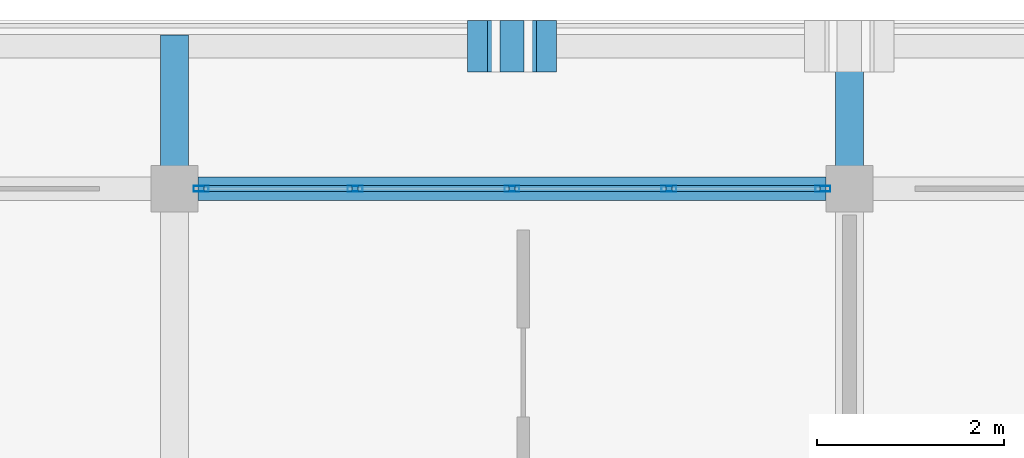
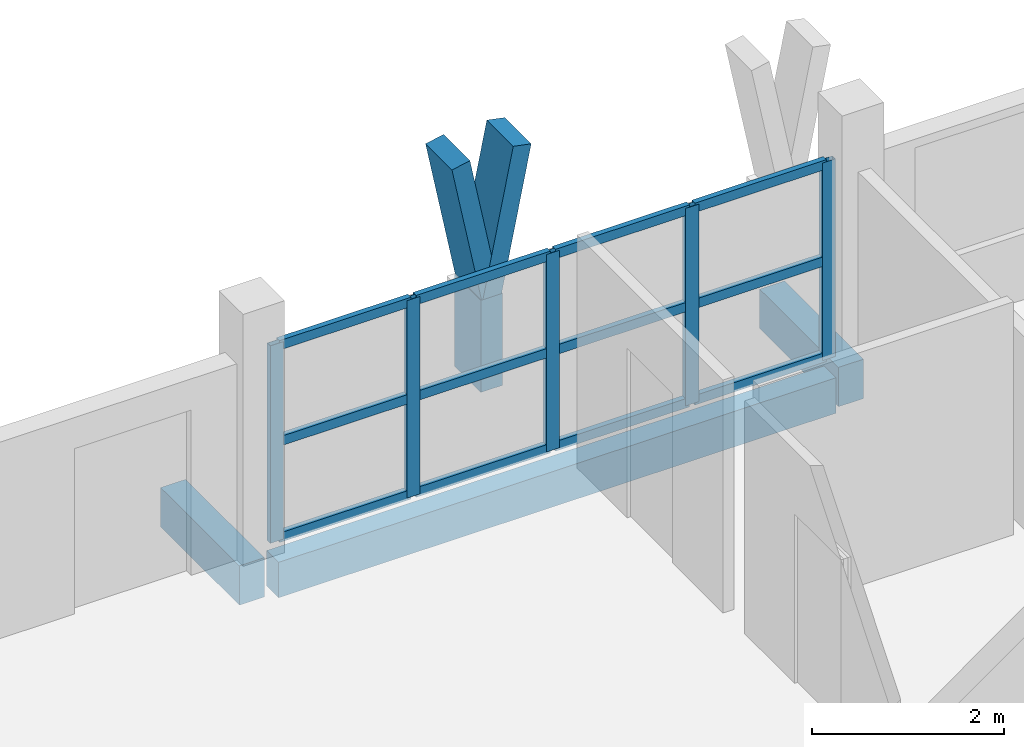
# One storey, part 2 of 7: 20 members, 3 beams, 1 element without a shape of its own.
"""IFC4 building model written with IfcOpenShell, lengths in metres."""

from ifc_helpers import new_model, si_unit, direction, frame, origin, origin_2d, place, context, subcontext, project, spatial, rectangle, hollow_rectangle, extrude, material, material_profile, profile_set, type_object, element, aggregate, save


model = new_model("IFC4")

# Units and contexts
model_context = context("Model", 3, precision=1e-05, world=origin(), true_north=direction((0.0, 1.0)))
body_context = subcontext(model_context, "Body", "Model", "MODEL_VIEW")
ifc_project = project(units=[si_unit("LENGTHUNIT", "METRE"), si_unit("AREAUNIT", "SQUARE_METRE"), si_unit("VOLUMEUNIT", "CUBIC_METRE"), si_unit("PLANEANGLEUNIT", "RADIAN"), si_unit("MASSUNIT", "GRAM", prefix="KILO")], contexts=[model_context])

# Site, building, storey
site_placement = place(None, origin())
site = spatial("IfcSite", under=ifc_project, at=site_placement, CompositionType="ELEMENT")
building_placement = place(site_placement, origin())
building = spatial("IfcBuilding", under=site, at=building_placement, Name="Suanplinth Sawtooth Commons", CompositionType="ELEMENT")
storey_placement = place(building_placement, frame((0.0, 0.0, 50.89990234375)))
storey = spatial("IfcBuildingStorey", under=building, at=storey_placement, Name="L15", CompositionType="ELEMENT", Elevation=50.89990234375)

# Beams
ifc_material_1 = material(Name="Precast concrete C40/50", Category="concrete")
ifc_material_profile_1 = material_profile(ifc_material_1, rectangle(XDim=0.300048828125, YDim=0.5, at=origin_2d()), Name="PC-BM 300x500")
ifc_profile_set_1 = profile_set([ifc_material_profile_1], Name="Precast concrete C40/50")
beam_type_1 = type_object("IfcBeamType", Name="B-07", PredefinedType="BEAM", material=ifc_profile_set_1)
for number, where, z_axis, x_axis, name in (
    (1, (50.39990234375, 122.39990234375, -0.429931640625), (0.0, 1.0, 0.0), (-1.0, 0.0, 0.0), "Balcony Outrigger L15-A-N-7"),
    (2, (57.60009765625, 122.39990234375, -0.429931640625), (0.0, 1.0, 0.0), (-1.0, 0.0, 0.0), "Balcony Outrigger L15-A-N-8"),
):
    element("IfcBeam", number, at=place(storey_placement, frame(where, z_axis=z_axis, x_axis=x_axis)), inside=storey, type_object=beam_type_1, Name=name, PredefinedType="BEAM", context=body_context, shape_type="SweptSolid", body=[
        extrude(rectangle(XDim=0.300048828125, YDim=0.5, at=origin_2d()), origin(), (0.0, 0.0, 1.0), 1.64013671875),
    ])
ifc_material_profile_2 = material_profile(ifc_material_1, rectangle(XDim=0.25, YDim=0.449951171875, at=origin_2d()), Name="PC-SP 250x450")
ifc_profile_set_2 = profile_set([ifc_material_profile_2], Name="Precast concrete C40/50")
beam_type_2 = type_object("IfcBeamType", Name="B-09", PredefinedType="SPANDREL", material=ifc_profile_set_2)
beam_placement = place(storey_placement, frame((50.64990234375, 122.39990234375, -0.4248046875), z_axis=(1.0, 0.0, 0.0), x_axis=(0.0, 1.0, 0.0)))
element("IfcBeam", 3, at=beam_placement, inside=storey, type_object=beam_type_2, Name="BMX-L15-A-7-17", PredefinedType="SPANDREL", context=body_context, shape_type="SweptSolid", body=[
    extrude(rectangle(XDim=0.25, YDim=0.449951171875, at=origin_2d()), origin(), (0.0, 0.0, 1.0), 6.7001953125),
])

# Members
ifc_material_2 = material(Name="Pigmented precast concrete C40/50", Category="concrete")
ifc_material_profile_3 = material_profile(ifc_material_2, rectangle(XDim=0.260009765625, YDim=0.550048828125, at=origin_2d()), Name="PC-FIN 260x550")
ifc_profile_set_3 = profile_set([ifc_material_profile_3], Name="Pigmented precast concrete C40/50")
member_type_1 = type_object("IfcMemberType", Name="M-09", PredefinedType="USERDEFINED", material=ifc_profile_set_3)
member_1_placement = place(storey_placement, frame((54.0, 123.919921875, 0.0), z_axis=(0.0, 0.0, 1.0), x_axis=(1.0, 0.0, 0.0)))
element("IfcMember", 4, at=member_1_placement, inside=storey, type_object=member_type_1, Name="Y-Blade Stem L15-A-N-02", ObjectType="SHADING FIN", PredefinedType="USERDEFINED", context=body_context, shape_type="SweptSolid", body=[
    extrude(rectangle(XDim=0.260009765625, YDim=0.550048828125, at=origin_2d()), origin(), (0.0, 0.0, 1.0), 1.170166015625),
])
ifc_material_profile_4 = material_profile(ifc_material_2, rectangle(XDim=0.219970703125, YDim=0.550048828125, at=origin_2d()), Name="PC-FIN 220x550")
ifc_profile_set_4 = profile_set([ifc_material_profile_4], Name="Pigmented precast concrete C40/50")
member_type_2 = type_object("IfcMemberType", Name="M-10", PredefinedType="USERDEFINED", material=ifc_profile_set_4)
for number, where, z_axis, x_axis, name in (
    (5, (54.0, 123.919921875, 1.130126953125), (-0.196191192406, 0.0, 0.98056566125), (0.98056566125, 0.0, 0.196191192406), "Y-Blade Arm L L15-A-N-02"),
    (6, (54.0, 123.919921875, 1.130126953125), (0.196191192406, 0.0, 0.98056566125), (-0.98056566125, 0.0, 0.196191192406), "Y-Blade Arm R L15-A-N-02"),
):
    element("IfcMember", number, at=place(storey_placement, frame(where, z_axis=z_axis, x_axis=x_axis)), inside=storey, type_object=member_type_2, Name=name, ObjectType="SHADING FIN", PredefinedType="USERDEFINED", context=body_context, shape_type="SweptSolid", body=[
        extrude(rectangle(XDim=0.219970703125, YDim=0.550048828125, at=origin_2d()), origin(), (0.0, 0.0, 1.0), 1.87646484375),
    ])

# Curtain wall, members
ifc_material_3 = material(Name="Anodized aluminium and low-E glazing", Category="aluminium")
curtain_wall_type = type_object("IfcCurtainWallType", Name="CW-06", PredefinedType="USERDEFINED", material=ifc_material_3)
curtain_wall_placement = place(storey_placement, origin())
curtain_wall = element("IfcCurtainWall", 7, at=curtain_wall_placement, inside=storey, type_object=curtain_wall_type, Name="Curtain Wall CW-L15-A-LOUNGE-2", ObjectType="CURTAIN WALL", PredefinedType="USERDEFINED")
ifc_material_4 = material(Name="Anodized aluminium 6063-T6", Category="aluminium")
ifc_material_profile_5 = material_profile(ifc_material_4, hollow_rectangle(XDim=0.06494140625, YDim=0.159912109375, WallThickness=0.00390625, at=origin_2d()), Name="ALU-MUL 65x160")
ifc_profile_set_5 = profile_set([ifc_material_profile_5], Name="Anodized aluminium 6063-T6")
member_type_3 = type_object("IfcMemberType", Name="M-13", PredefinedType="MULLION", material=ifc_profile_set_5)
member_2_placement = place(storey_placement, frame((50.6826171875, 122.39990234375, 0.0), z_axis=(0.0, 0.0, 1.0), x_axis=(0.0, 1.0, 0.0)))
member_2 = element("IfcMember", 8, at=member_2_placement, type_object=member_type_3, Name="CW-06 mullion 1", PredefinedType="MULLION", context=body_context, shape_type="SweptSolid", body=[
    extrude(hollow_rectangle(XDim=0.06494140625, YDim=0.159912109375, WallThickness=0.00390625, at=origin_2d()), origin(), (0.0, 0.0, 1.0), 2.510009765625),
])
member_3_placement = place(storey_placement, frame((52.324951171875, 122.39990234375, 0.0), z_axis=(0.0, 0.0, 1.0), x_axis=(0.0, 1.0, 0.0)))
member_3 = element("IfcMember", 9, at=member_3_placement, type_object=member_type_3, Name="CW-06 mullion 2", PredefinedType="MULLION", context=body_context, shape_type="SweptSolid", body=[
    extrude(hollow_rectangle(XDim=0.06494140625, YDim=0.159912109375, WallThickness=0.00390625, at=origin_2d()), origin(), (0.0, 0.0, 1.0), 2.510009765625),
])
member_4_placement = place(storey_placement, frame((54.0, 122.39990234375, 0.0), z_axis=(0.0, 0.0, 1.0), x_axis=(0.0, 1.0, 0.0)))
member_4 = element("IfcMember", 10, at=member_4_placement, type_object=member_type_3, Name="CW-06 mullion 3", PredefinedType="MULLION", context=body_context, shape_type="SweptSolid", body=[
    extrude(hollow_rectangle(XDim=0.06494140625, YDim=0.159912109375, WallThickness=0.00390625, at=origin_2d()), origin(), (0.0, 0.0, 1.0), 2.510009765625),
])
member_5_placement = place(storey_placement, frame((55.675048828125, 122.39990234375, 0.0), z_axis=(0.0, 0.0, 1.0), x_axis=(0.0, 1.0, 0.0)))
member_5 = element("IfcMember", 11, at=member_5_placement, type_object=member_type_3, Name="CW-06 mullion 4", PredefinedType="MULLION", context=body_context, shape_type="SweptSolid", body=[
    extrude(hollow_rectangle(XDim=0.06494140625, YDim=0.159912109375, WallThickness=0.00390625, at=origin_2d()), origin(), (0.0, 0.0, 1.0), 2.510009765625),
])
member_6_placement = place(storey_placement, frame((57.3173828125, 122.39990234375, 0.0), z_axis=(0.0, 0.0, 1.0), x_axis=(0.0, 1.0, 0.0)))
member_6 = element("IfcMember", 12, at=member_6_placement, type_object=member_type_3, Name="CW-06 mullion 5", PredefinedType="MULLION", context=body_context, shape_type="SweptSolid", body=[
    extrude(hollow_rectangle(XDim=0.06494140625, YDim=0.159912109375, WallThickness=0.00390625, at=origin_2d()), origin(), (0.0, 0.0, 1.0), 2.510009765625),
])
ifc_material_profile_6 = material_profile(ifc_material_4, hollow_rectangle(XDim=0.06494140625, YDim=0.1201171875, WallThickness=0.00390625, at=origin_2d()), Name="ALU-TRN 65x120")
ifc_profile_set_6 = profile_set([ifc_material_profile_6], Name="Anodized aluminium 6063-T6")
member_type_4 = type_object("IfcMemberType", Name="M-15", PredefinedType="USERDEFINED", material=ifc_profile_set_6)
member_7_placement = place(storey_placement, frame((50.715087890625, 122.39990234375, 0.03271484375), z_axis=(1.0, 0.0, 0.0), x_axis=(0.0, 1.0, 0.0)))
member_7 = element("IfcMember", 13, at=member_7_placement, type_object=member_type_4, Name="CW-06 transom 1.1", ObjectType="TRANSOM", PredefinedType="USERDEFINED", context=body_context, shape_type="SweptSolid", body=[
    extrude(hollow_rectangle(XDim=0.06494140625, YDim=0.1201171875, WallThickness=0.00390625, at=origin_2d()), origin(), (0.0, 0.0, 1.0), 1.577392578125),
])
member_8_placement = place(storey_placement, frame((50.715087890625, 122.39990234375, 1.255126953125), z_axis=(1.0, 0.0, 0.0), x_axis=(0.0, 1.0, 0.0)))
member_8 = element("IfcMember", 14, at=member_8_placement, type_object=member_type_4, Name="CW-06 transom 1.2", ObjectType="TRANSOM", PredefinedType="USERDEFINED", context=body_context, shape_type="SweptSolid", body=[
    extrude(hollow_rectangle(XDim=0.06494140625, YDim=0.1201171875, WallThickness=0.00390625, at=origin_2d()), origin(), (0.0, 0.0, 1.0), 1.577392578125),
])
member_9_placement = place(storey_placement, frame((50.715087890625, 122.39990234375, 2.4775390625), z_axis=(1.0, 0.0, 0.0), x_axis=(0.0, 1.0, 0.0)))
member_9 = element("IfcMember", 15, at=member_9_placement, type_object=member_type_4, Name="CW-06 transom 1.3", ObjectType="TRANSOM", PredefinedType="USERDEFINED", context=body_context, shape_type="SweptSolid", body=[
    extrude(hollow_rectangle(XDim=0.06494140625, YDim=0.1201171875, WallThickness=0.00390625, at=origin_2d()), origin(), (0.0, 0.0, 1.0), 1.577392578125),
])
member_10_placement = place(storey_placement, frame((52.357421875, 122.39990234375, 0.03271484375), z_axis=(1.0, 0.0, 0.0), x_axis=(0.0, 1.0, 0.0)))
member_10 = element("IfcMember", 16, at=member_10_placement, type_object=member_type_4, Name="CW-06 transom 2.1", ObjectType="TRANSOM", PredefinedType="USERDEFINED", context=body_context, shape_type="SweptSolid", body=[
    extrude(hollow_rectangle(XDim=0.06494140625, YDim=0.1201171875, WallThickness=0.00390625, at=origin_2d()), origin(), (0.0, 0.0, 1.0), 1.610107421875),
])
member_11_placement = place(storey_placement, frame((52.357421875, 122.39990234375, 1.255126953125), z_axis=(1.0, 0.0, 0.0), x_axis=(0.0, 1.0, 0.0)))
member_11 = element("IfcMember", 17, at=member_11_placement, type_object=member_type_4, Name="CW-06 transom 2.2", ObjectType="TRANSOM", PredefinedType="USERDEFINED", context=body_context, shape_type="SweptSolid", body=[
    extrude(hollow_rectangle(XDim=0.06494140625, YDim=0.1201171875, WallThickness=0.00390625, at=origin_2d()), origin(), (0.0, 0.0, 1.0), 1.610107421875),
])
member_12_placement = place(storey_placement, frame((52.357421875, 122.39990234375, 2.4775390625), z_axis=(1.0, 0.0, 0.0), x_axis=(0.0, 1.0, 0.0)))
member_12 = element("IfcMember", 18, at=member_12_placement, type_object=member_type_4, Name="CW-06 transom 2.3", ObjectType="TRANSOM", PredefinedType="USERDEFINED", context=body_context, shape_type="SweptSolid", body=[
    extrude(hollow_rectangle(XDim=0.06494140625, YDim=0.1201171875, WallThickness=0.00390625, at=origin_2d()), origin(), (0.0, 0.0, 1.0), 1.610107421875),
])
member_13_placement = place(storey_placement, frame((54.032470703125, 122.39990234375, 0.03271484375), z_axis=(1.0, 0.0, 0.0), x_axis=(0.0, 1.0, 0.0)))
member_13 = element("IfcMember", 19, at=member_13_placement, type_object=member_type_4, Name="CW-06 transom 3.1", ObjectType="TRANSOM", PredefinedType="USERDEFINED", context=body_context, shape_type="SweptSolid", body=[
    extrude(hollow_rectangle(XDim=0.06494140625, YDim=0.1201171875, WallThickness=0.00390625, at=origin_2d()), origin(), (0.0, 0.0, 1.0), 1.610107421875),
])
member_14_placement = place(storey_placement, frame((54.032470703125, 122.39990234375, 1.255126953125), z_axis=(1.0, 0.0, 0.0), x_axis=(0.0, 1.0, 0.0)))
member_14 = element("IfcMember", 20, at=member_14_placement, type_object=member_type_4, Name="CW-06 transom 3.2", ObjectType="TRANSOM", PredefinedType="USERDEFINED", context=body_context, shape_type="SweptSolid", body=[
    extrude(hollow_rectangle(XDim=0.06494140625, YDim=0.1201171875, WallThickness=0.00390625, at=origin_2d()), origin(), (0.0, 0.0, 1.0), 1.610107421875),
])
member_15_placement = place(storey_placement, frame((54.032470703125, 122.39990234375, 2.4775390625), z_axis=(1.0, 0.0, 0.0), x_axis=(0.0, 1.0, 0.0)))
member_15 = element("IfcMember", 21, at=member_15_placement, type_object=member_type_4, Name="CW-06 transom 3.3", ObjectType="TRANSOM", PredefinedType="USERDEFINED", context=body_context, shape_type="SweptSolid", body=[
    extrude(hollow_rectangle(XDim=0.06494140625, YDim=0.1201171875, WallThickness=0.00390625, at=origin_2d()), origin(), (0.0, 0.0, 1.0), 1.610107421875),
])
member_16_placement = place(storey_placement, frame((55.70751953125, 122.39990234375, 0.03271484375), z_axis=(1.0, 0.0, 0.0), x_axis=(0.0, 1.0, 0.0)))
member_16 = element("IfcMember", 22, at=member_16_placement, type_object=member_type_4, Name="CW-06 transom 4.1", ObjectType="TRANSOM", PredefinedType="USERDEFINED", context=body_context, shape_type="SweptSolid", body=[
    extrude(hollow_rectangle(XDim=0.06494140625, YDim=0.1201171875, WallThickness=0.00390625, at=origin_2d()), origin(), (0.0, 0.0, 1.0), 1.577392578125),
])
member_17_placement = place(storey_placement, frame((55.70751953125, 122.39990234375, 1.255126953125), z_axis=(1.0, 0.0, 0.0), x_axis=(0.0, 1.0, 0.0)))
member_17 = element("IfcMember", 23, at=member_17_placement, type_object=member_type_4, Name="CW-06 transom 4.2", ObjectType="TRANSOM", PredefinedType="USERDEFINED", context=body_context, shape_type="SweptSolid", body=[
    extrude(hollow_rectangle(XDim=0.06494140625, YDim=0.1201171875, WallThickness=0.00390625, at=origin_2d()), origin(), (0.0, 0.0, 1.0), 1.577392578125),
])
member_18_placement = place(storey_placement, frame((55.70751953125, 122.39990234375, 2.4775390625), z_axis=(1.0, 0.0, 0.0), x_axis=(0.0, 1.0, 0.0)))
member_18 = element("IfcMember", 24, at=member_18_placement, type_object=member_type_4, Name="CW-06 transom 4.3", ObjectType="TRANSOM", PredefinedType="USERDEFINED", context=body_context, shape_type="SweptSolid", body=[
    extrude(hollow_rectangle(XDim=0.06494140625, YDim=0.1201171875, WallThickness=0.00390625, at=origin_2d()), origin(), (0.0, 0.0, 1.0), 1.577392578125),
])
aggregate(curtain_wall, [member_2, member_3, member_4, member_5, member_6, member_7, member_8, member_9, member_10, member_11, member_12, member_13, member_14, member_15, member_16, member_17, member_18])

save(model, "model.ifc")
